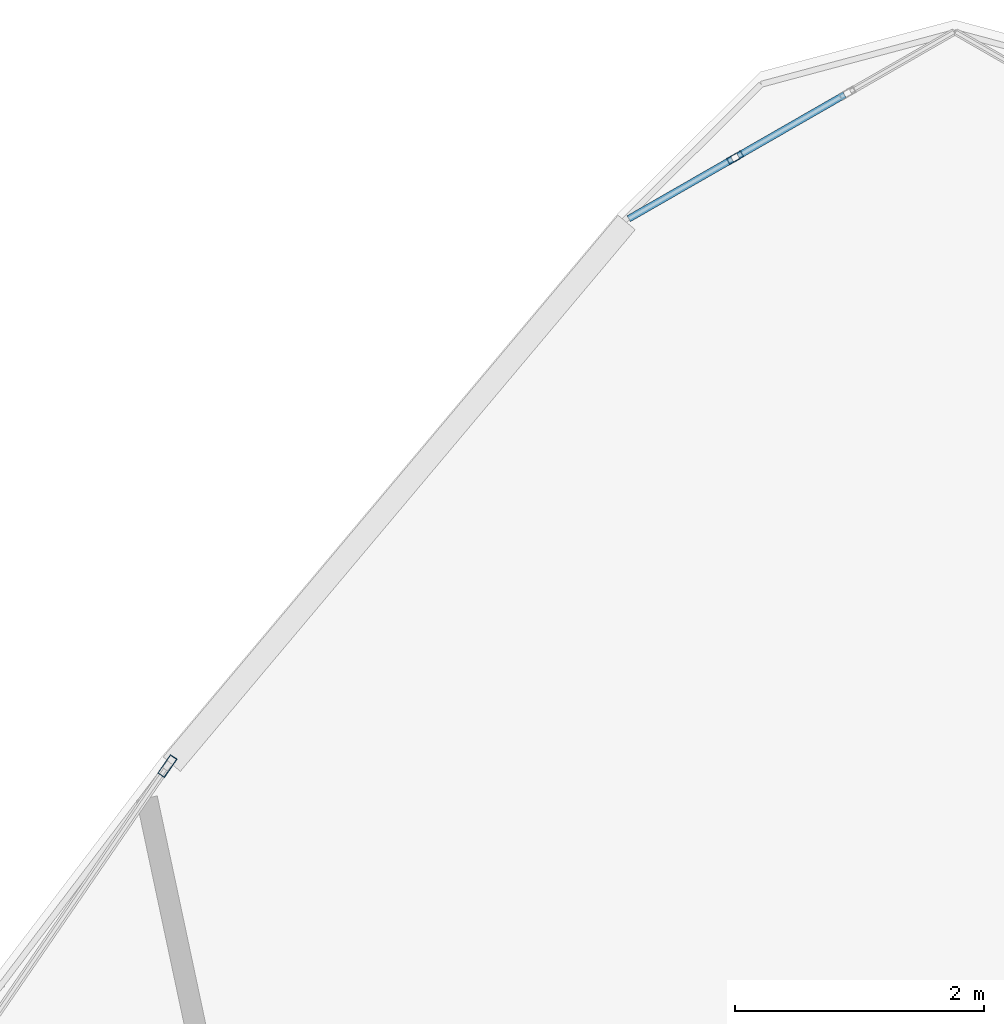
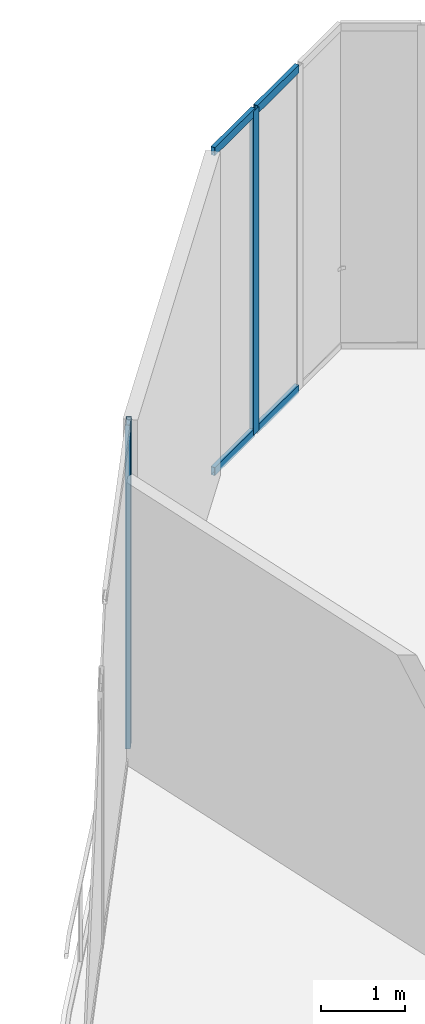
# One storey, part 25 of 33: 6 members, 2 elements without a shape of their own.
"""IFC4 building model written with IfcOpenShell, lengths in metres."""

from ifc_helpers import new_model, si_unit, direction, frame, origin, origin_2d, place, context, subcontext, project, spatial, hollow_rectangle, extrude, source, transform, mapped, material, layer, layer_set, material_profile, profile_set, type_object, element, aggregate, save


model = new_model("IFC4")

# Units and contexts
model_context = context("Model", 3, precision=1e-05, world=origin(), true_north=direction((0.0, 1.0)))
body_context = subcontext(model_context, "Body", "Model", "MODEL_VIEW")
ifc_project = project(units=[si_unit("LENGTHUNIT", "METRE"), si_unit("AREAUNIT", "SQUARE_METRE"), si_unit("VOLUMEUNIT", "CUBIC_METRE"), si_unit("PLANEANGLEUNIT", "RADIAN"), si_unit("MASSUNIT", "GRAM", prefix="KILO"), si_unit("THERMODYNAMICTEMPERATUREUNIT", "KELVIN"), si_unit("POWERUNIT", "WATT")], contexts=[model_context])

# Site, building, storey
site_placement = place(None, origin())
site = spatial("IfcSite", under=ifc_project, at=site_placement, CompositionType="ELEMENT")
building_placement = place(site_placement, origin())
building = spatial("IfcBuilding", under=site, at=building_placement, Name="Yunzhuo Pagoda Commons", CompositionType="ELEMENT")
storey_placement = place(building_placement, frame((0.0, 0.0, 386.760009765625)))
storey = spatial("IfcBuildingStorey", under=building, at=storey_placement, Name="L96", CompositionType="ELEMENT", Elevation=386.760009765625)

# Curtain wall, member
ifc_material = material(Name="Anodized aluminium 6063-T6", Category="aluminium")
ifc_layer_1 = layer(ifc_material, 0.179931640625)
ifc_layer_set_1 = layer_set([ifc_layer_1], Name="Anodized aluminium 6063-T6")
curtain_wall_type_1 = type_object("IfcCurtainWallType", Name="CW-CRN Crown Gable Glazing System", PredefinedType="NOTDEFINED", material=ifc_layer_set_1)
curtain_wall_1_placement = place(storey_placement, origin())
curtain_wall_1 = element("IfcCurtainWall", 1, at=curtain_wall_1_placement, inside=storey, type_object=curtain_wall_type_1, Name="L96 curtain wall CW-L96-CRNF3G1", PredefinedType="NOTDEFINED")
ifc_material_profile_1 = material_profile(ifc_material, hollow_rectangle(XDim=0.06494140625, YDim=0.179931640625, WallThickness=0.00390625, at=origin_2d()), Name="Anodized aluminium 6063-T6")
ifc_profile_set_1 = profile_set([ifc_material_profile_1], Name="Anodized aluminium 6063-T6")
member_type_1 = type_object("IfcMemberType", Name="CW-CRN-M Mullion RHS 180x65x4", PredefinedType="MULLION", material=ifc_profile_set_1)
shared_shape_1 = source(origin(), body_context, "Body", "SweptSolid", [
    extrude(hollow_rectangle(XDim=0.06494140625, YDim=0.179931640625, WallThickness=0.00390625, at=origin_2d()), origin(), (0.0, 0.0, 1.0), 4.72021484375),
])
member_1_placement = place(storey_placement, frame((41.67919921875, 64.46875, 0.0), z_axis=(0.0, 0.0, 1.0), x_axis=(0.824296116005, -0.566158911561, 0.0)))
member_1 = element("IfcMember", 2, at=member_1_placement, type_object=member_type_1, Name="CW mullion 1", PredefinedType="MULLION", context=body_context, shape_type="MappedRepresentation", body=[
    mapped(shared_shape_1, transform((0.0, 0.0, 0.0), scale=1.0)),
])
aggregate(curtain_wall_1, [member_1])

# Curtain wall, members
ifc_layer_2 = layer(ifc_material, 0.1298828125)
ifc_layer_set_2 = layer_set([ifc_layer_2], Name="Anodized aluminium 6063-T6")
curtain_wall_type_2 = type_object("IfcCurtainWallType", Name="CW-VTX Rounded Corner Curtain Wall", PredefinedType="NOTDEFINED", material=ifc_layer_set_2)
curtain_wall_2_placement = place(storey_placement, origin())
curtain_wall_2 = element("IfcCurtainWall", 3, at=curtain_wall_2_placement, inside=storey, type_object=curtain_wall_type_2, Name="L96 curtain wall CW-L96-CRNV3S2", PredefinedType="NOTDEFINED")
ifc_material_profile_2 = material_profile(ifc_material, hollow_rectangle(XDim=0.054931640625, YDim=0.1298828125, WallThickness=0.00341796875, at=origin_2d()), Name="Anodized aluminium 6063-T6")
ifc_profile_set_2 = profile_set([ifc_material_profile_2], Name="Anodized aluminium 6063-T6")
member_type_2 = type_object("IfcMemberType", Name="CW-VTX-M Mullion RHS 130x55x3.5", PredefinedType="MULLION", material=ifc_profile_set_2)
shared_shape_2 = source(origin(), body_context, "Body", "SweptSolid", [
    extrude(hollow_rectangle(XDim=0.054931640625, YDim=0.1298828125, WallThickness=0.00341796875, at=origin_2d()), origin(), (0.0, 0.0, 1.0), 4.72021484375),
])
member_2_placement = place(storey_placement, frame((46.236572265625, 69.3525390625, 0.0), z_axis=(0.0, 0.0, 1.0), x_axis=(0.497936732633, -0.867213359154, 0.0)))
member_2 = element("IfcMember", 4, at=member_2_placement, type_object=member_type_2, Name="CW mullion 3", PredefinedType="MULLION", context=body_context, shape_type="MappedRepresentation", body=[
    mapped(shared_shape_2, transform((0.0, 0.0, 0.0), scale=1.0)),
])
ifc_material_profile_3 = material_profile(ifc_material, hollow_rectangle(XDim=0.054931640625, YDim=0.1201171875, WallThickness=0.00341796875, at=origin_2d()), Name="Anodized aluminium 6063-T6")
ifc_profile_set_3 = profile_set([ifc_material_profile_3], Name="Anodized aluminium 6063-T6")
member_type_3 = type_object("IfcMemberType", Name="CW-VTX-T Transom RHS 120x55x3.5", PredefinedType="USERDEFINED", material=ifc_profile_set_3)
shared_shape_3 = source(origin(), body_context, "Body", "SweptSolid", [
    extrude(hollow_rectangle(XDim=0.054931640625, YDim=0.1201171875, WallThickness=0.00341796875, at=origin_2d()), origin(), (0.0, 0.0, 1.0), 0.984619140625),
])
member_3_placement = place(storey_placement, frame((47.1142578125, 69.8564453125, 0.027587890625), z_axis=(-0.867203521123, -0.497953866289, 0.0), x_axis=(0.497953866289, -0.867203521123, 0.0)))
member_3 = element("IfcMember", 5, at=member_3_placement, type_object=member_type_3, Name="CW transom 2.1", ObjectType="TRANSOM", PredefinedType="USERDEFINED", context=body_context, shape_type="MappedRepresentation", body=[
    mapped(shared_shape_3, transform((0.0, 0.0, 0.0), scale=1.0)),
])
member_4_placement = place(storey_placement, frame((47.1142578125, 69.8564453125, 4.6923828125), z_axis=(-0.867203521123, -0.497953866289, 0.0), x_axis=(0.497953866289, -0.867203521123, 0.0)))
member_4 = element("IfcMember", 6, at=member_4_placement, type_object=member_type_3, Name="CW transom 2.2", ObjectType="TRANSOM", PredefinedType="USERDEFINED", context=body_context, shape_type="MappedRepresentation", body=[
    mapped(shared_shape_3, transform((0.0, 0.0, 0.0), scale=1.0)),
])
shared_shape_4 = source(origin(), body_context, "Body", "SweptSolid", [
    extrude(hollow_rectangle(XDim=0.054931640625, YDim=0.1201171875, WallThickness=0.00341796875, at=origin_2d()), origin(), (0.0, 0.0, 1.0), 0.957275390625),
])
member_5_placement = place(storey_placement, frame((46.212890625, 69.3388671875, 0.027587890625), z_axis=(-0.867299991216, -0.497785822656, 0.0), x_axis=(0.497785822656, -0.867299991216, 0.0)))
member_5 = element("IfcMember", 7, at=member_5_placement, type_object=member_type_3, Name="CW transom 3.1", ObjectType="TRANSOM", PredefinedType="USERDEFINED", context=body_context, shape_type="MappedRepresentation", body=[
    mapped(shared_shape_4, transform((0.0, 0.0, 0.0), scale=1.0)),
])
member_6_placement = place(storey_placement, frame((46.212890625, 69.3388671875, 4.6923828125), z_axis=(-0.867299991216, -0.497785822656, 0.0), x_axis=(0.497785822656, -0.867299991216, 0.0)))
member_6 = element("IfcMember", 8, at=member_6_placement, type_object=member_type_3, Name="CW transom 3.2", ObjectType="TRANSOM", PredefinedType="USERDEFINED", context=body_context, shape_type="MappedRepresentation", body=[
    mapped(shared_shape_4, transform((0.0, 0.0, 0.0), scale=1.0)),
])
aggregate(curtain_wall_2, [member_2, member_3, member_4, member_5, member_6])

save(model, "model.ifc")
